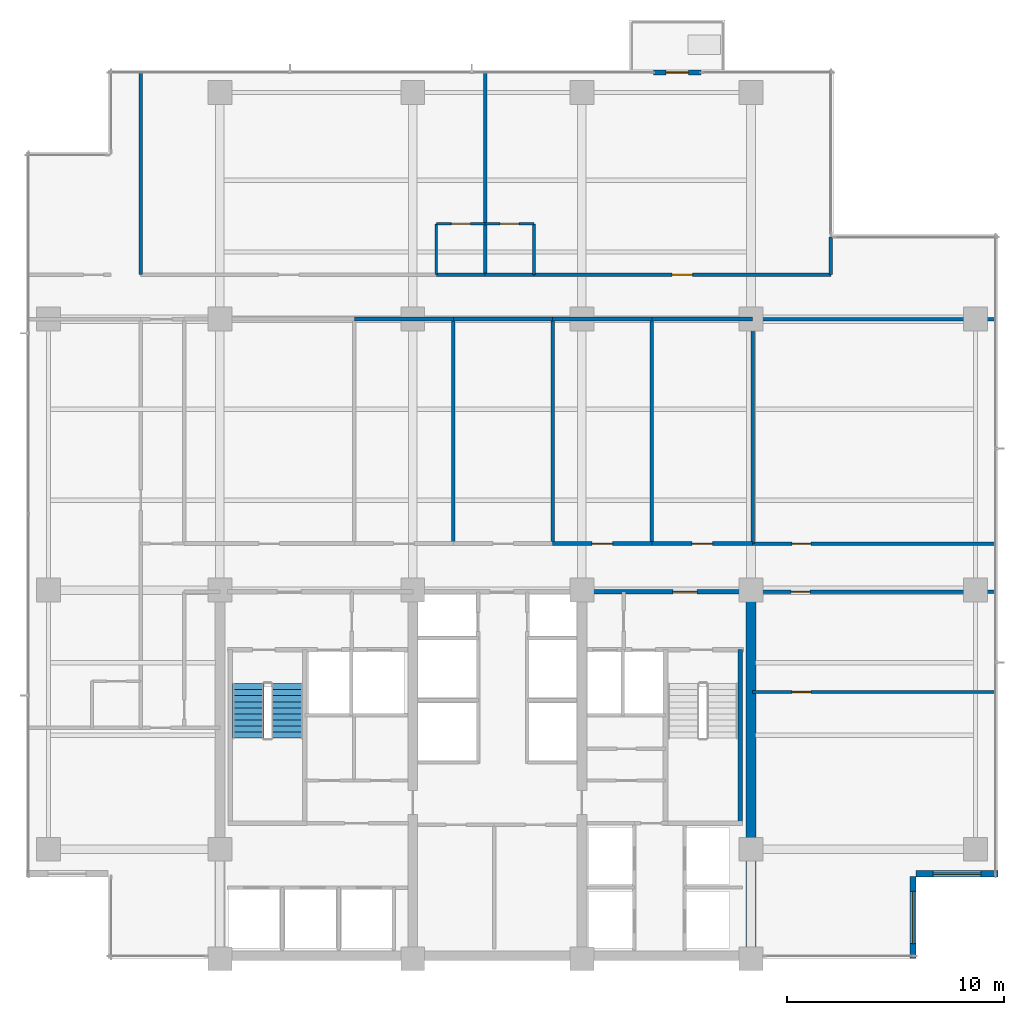
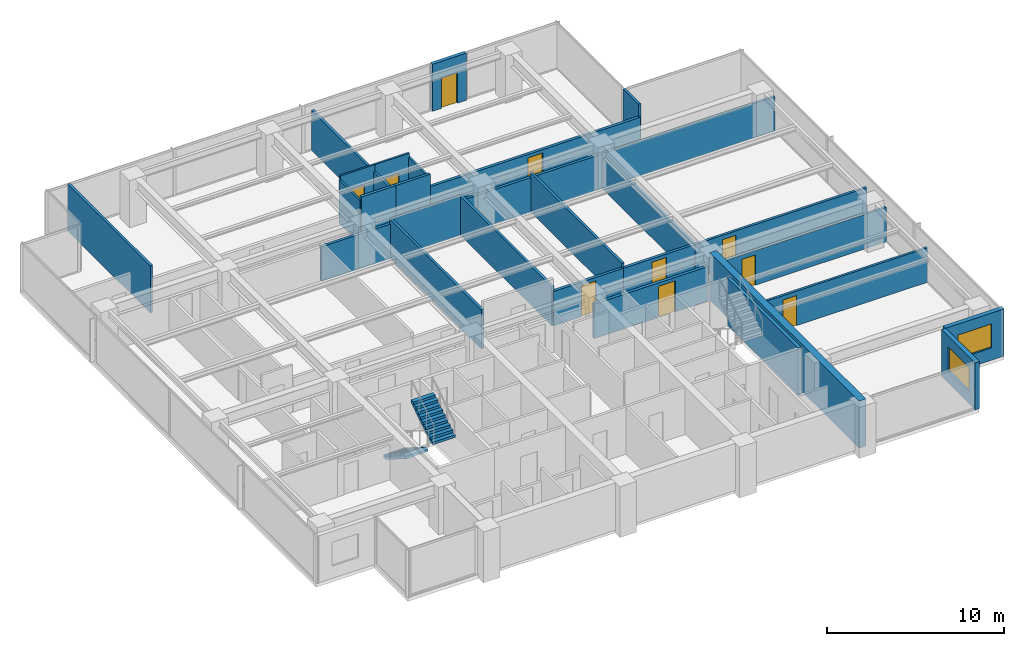
# One storey, part 9 of 15: 30 walls, 10 doors, 2 stair flights, 2 windows, 12 openings, 1 element without a shape of its own.
"""IFC4 building model written with IfcOpenShell, lengths in metres."""

import ifcopenshell
import ifcopenshell.guid

model = None  # the IFC model being written
_history = None  # IfcOwnerHistory: only IFC2X3 demands one
_inside = {}  # id of a spatial element -> (the spatial element, [elements in it])
_under = {}  # id of a project, library or spatial element -> (it, [spatial elements below it])
_declared = {}  # id of a project -> (the project, [libraries it declares])
_typed = {}  # id of a type object -> (the type object, [elements of that type])
_made_of = {}  # id of a material, layer set ... -> (it, [elements and type objects made of it])


def new_model(schema):
    """Start an empty IFC model of exactly this schema.

    Asked for "IFC4X3", IfcOpenShell would pick the latest addendum, in which some entities
    have other attributes; the version numbers below select the first issue.
    IFC2X3 requires an IfcOwnerHistory on every rooted entity: one is made here for all.
    """
    global model, _history
    if schema == "IFC4X3":
        model = ifcopenshell.file(schema_version=(4, 3, 0, 0))
    else:
        model = ifcopenshell.file(schema=schema)
    _inside.clear()
    _under.clear()
    _declared.clear()
    _typed.clear()
    _made_of.clear()
    _history = None
    if model.schema == "IFC2X3":
        org = make("IfcOrganization", Name="unknown")
        user = make(
            "IfcPersonAndOrganization",
            ThePerson=make("IfcPerson", FamilyName="unknown"),
            TheOrganization=org,
        )
        app = make(
            "IfcApplication",
            ApplicationDeveloper=org,
            Version="unknown",
            ApplicationFullName="unknown",
            ApplicationIdentifier="unknown",
        )
        _history = make(
            "IfcOwnerHistory",
            OwningUser=user,
            OwningApplication=app,
            ChangeAction="ADDED",
            CreationDate=0,
        )
    return model


def make(cls, **values):
    """One entity of the class cls with the attributes given. An attribute that is None is left unset."""
    return model.create_entity(
        cls, **{name: value for name, value in values.items() if value is not None}
    )


def rooted(cls, **values):
    """An entity with a GlobalId (a new one), such as an element, a storey or a relation."""
    return make(cls, GlobalId=ifcopenshell.guid.new(), OwnerHistory=_history, **values)


def si_unit(unit_type, name, prefix=None):
    """IfcSIUnit, for example si_unit("LENGTHUNIT", "METRE", prefix="MILLI")."""
    return make("IfcSIUnit", UnitType=unit_type, Prefix=prefix, Name=name)


def assignment(units):
    """IfcUnitAssignment: the units of a project."""
    return None if units is None else make("IfcUnitAssignment", Units=units)


def point(xyz):
    """IfcCartesianPoint."""
    return None if xyz is None else make("IfcCartesianPoint", Coordinates=xyz)


def direction(xyz):
    """IfcDirection."""
    return None if xyz is None else make("IfcDirection", DirectionRatios=xyz)


def frame(location, z_axis=None, x_axis=None):
    """IfcAxis2Placement3D, a coordinate frame: its origin and axes. An axis left out is left unset."""
    return make(
        "IfcAxis2Placement3D",
        Location=point(location),
        Axis=direction(z_axis),
        RefDirection=direction(x_axis),
    )


def frame_2d(location, x_axis=None):
    """IfcAxis2Placement2D, a coordinate frame in the plane: its origin and x axis."""
    return make(
        "IfcAxis2Placement2D", Location=point(location), RefDirection=direction(x_axis)
    )


def origin():
    """The frame at (0, 0, 0) with its axes left unset."""
    return frame((0.0, 0.0, 0.0))


def place(relative_to, where):
    """IfcLocalPlacement: puts the frame where relative to a parent placement (None: the world)."""
    return make(
        "IfcLocalPlacement", PlacementRelTo=relative_to, RelativePlacement=where
    )


def context(
    kind, dimensions, precision=None, world=None, true_north=None, identifier=None
):
    """IfcGeometricRepresentationContext, for example the 3D "Model" context."""
    return make(
        "IfcGeometricRepresentationContext",
        ContextIdentifier=identifier,
        ContextType=kind,
        CoordinateSpaceDimension=dimensions,
        Precision=precision,
        WorldCoordinateSystem=world,
        TrueNorth=true_north,
    )


def subcontext(parent, identifier, kind, view, scale=None):
    """IfcGeometricRepresentationSubContext, for example "Body" below "Model"."""
    return make(
        "IfcGeometricRepresentationSubContext",
        ContextIdentifier=identifier,
        ContextType=kind,
        ParentContext=parent,
        TargetScale=scale,
        TargetView=view,
    )


def project(units=None, contexts=None):
    """IfcProject with its units and contexts."""
    return rooted(
        "IfcProject",
        Name="project",
        RepresentationContexts=contexts,
        UnitsInContext=assignment(units),
    )


def spatial(cls, under=None, at=None, **own):
    """A site, building, storey or space (cls), placed at a placement, below another one or the project."""
    s = rooted(cls, ObjectPlacement=at, **own)
    if under is not None:
        _under.setdefault(under.id(), (under, []))[1].append(s)
    return s


def polyline(points):
    """IfcPolyline through the points."""
    return make("IfcPolyline", Points=[point(p) for p in points])


def profile(cls, at=None, kind="AREA", **sizes):
    """A parametric profile (cls). Its sizes go by their IFC names, for example OverallWidth=200.0."""
    return make(cls, ProfileType=kind, Position=at, **sizes)


def rectangle(**sizes):
    """IfcRectangleProfileDef."""
    return profile("IfcRectangleProfileDef", **sizes)


def outline(outer, holes=None, kind="AREA"):
    """IfcArbitraryClosedProfileDef: a profile drawn as a closed curve; with holes, ...WithVoids."""
    if holes is None:
        return make("IfcArbitraryClosedProfileDef", ProfileType=kind, OuterCurve=outer)
    return make(
        "IfcArbitraryProfileDefWithVoids",
        ProfileType=kind,
        OuterCurve=outer,
        InnerCurves=holes,
    )


def extrude(swept, where, along, depth):
    """IfcExtrudedAreaSolid: the profile swept, set in the frame where, extruded along a direction by depth."""
    return make(
        "IfcExtrudedAreaSolid",
        SweptArea=swept,
        Position=where,
        ExtrudedDirection=direction(along),
        Depth=depth,
    )


def shape(context_of_items, identifier, shape_type, items):
    """IfcShapeRepresentation: the items that make up one representation, for example the "Body"."""
    return make(
        "IfcShapeRepresentation",
        ContextOfItems=context_of_items,
        RepresentationIdentifier=identifier,
        RepresentationType=shape_type,
        Items=items,
    )


def material(Name=None, Category=None):
    """IfcMaterial."""
    return make("IfcMaterial", Name=Name, Category=Category)


def layer(
    of_material, thickness, ventilated=None, Name=None, Category=None, Priority=None
):
    """IfcMaterialLayer: one layer of a wall or slab, of a material (None: an air gap)."""
    return make(
        "IfcMaterialLayer",
        Material=of_material,
        LayerThickness=thickness,
        IsVentilated=ventilated,
        Name=Name,
        Category=Category,
        Priority=Priority,
    )


def layer_set(layers, Name=None):
    """IfcMaterialLayerSet."""
    return make("IfcMaterialLayerSet", MaterialLayers=layers, LayerSetName=Name)


def made_of(thing, what):
    """Note that an element or type object is made of a material, layer set ...; save() writes the relation."""
    if what is not None:
        _made_of.setdefault(what.id(), (what, []))[1].append(thing)
    return thing


def type_object(cls, material=None, **own):
    """A type object (cls), such as IfcWallType, which elements share."""
    return made_of(rooted(cls, **own), material)


def element(
    cls,
    number,
    at=None,
    inside=None,
    cuts=None,
    type_object=None,
    material=None,
    context=None,
    identifier="Body",
    shape_type=None,
    held_by="IfcProductDefinitionShape",
    body=None,
    shapes=None,
    **own,
):
    """One element of the class cls, such as IfcWall. Its Tag is "e" and its number.

    at: its placement. inside: the storey or other place that contains it. cuts: it is an
    opening in that element (IfcRelVoidsElement). A single representation is given by context,
    identifier, shape_type and body (its items); several are given by shapes. held_by: the class
    of the entity that holds the representations. save() writes the other relations.
    """
    e = rooted(cls, Tag="e%d" % number, ObjectPlacement=at, **own)
    if body is not None:
        shapes = [shape(context, identifier, shape_type, body)]
    if shapes is not None:
        e.Representation = make(held_by, Representations=shapes)
    if inside is not None:
        _inside.setdefault(inside.id(), (inside, []))[1].append(e)
    if cuts is not None:
        rooted(
            "IfcRelVoidsElement", RelatingBuildingElement=cuts, RelatedOpeningElement=e
        )
    if type_object is not None:
        _typed.setdefault(type_object.id(), (type_object, []))[1].append(e)
    return made_of(e, material)


def fill(opening, filler):
    """IfcRelFillsElement: the door or window that sits in an opening."""
    return rooted(
        "IfcRelFillsElement",
        RelatingOpeningElement=opening,
        RelatedBuildingElement=filler,
    )


def aggregate(whole, parts):
    """IfcRelAggregates: a whole, such as a stair, and the parts it consists of."""
    return rooted("IfcRelAggregates", RelatingObject=whole, RelatedObjects=parts)


def save(model, path):
    """Write the relations noted so far, then the file.

    IfcRelAggregates (storeys below a building ...), IfcRelContainedInSpatialStructure (elements
    in a storey), IfcRelDefinesByType, IfcRelAssociatesMaterial and IfcRelDeclares: one each for
    every whole, place, type object, material and project.
    """
    for whole, parts in _under.values():
        aggregate(whole, parts)
    for where, things in _inside.values():
        rooted(
            "IfcRelContainedInSpatialStructure",
            RelatedElements=things,
            RelatingStructure=where,
        )
    for kind, things in _typed.values():
        rooted("IfcRelDefinesByType", RelatedObjects=things, RelatingType=kind)
    for what, things in _made_of.values():
        rooted("IfcRelAssociatesMaterial", RelatedObjects=things, RelatingMaterial=what)
    for by, libraries in _declared.values():
        rooted("IfcRelDeclares", RelatingContext=by, RelatedDefinitions=libraries)
    model.write(path)


model = new_model("IFC4")

# Units and contexts
model_context = context("Model", 3, precision=1e-05, world=origin(), true_north=direction((0.0, 1.0)))
body_context = subcontext(model_context, "Body", "Model", "MODEL_VIEW")
ifc_project = project(units=[si_unit("LENGTHUNIT", "METRE"), si_unit("AREAUNIT", "SQUARE_METRE"), si_unit("VOLUMEUNIT", "CUBIC_METRE"), si_unit("PLANEANGLEUNIT", "RADIAN"), si_unit("MASSUNIT", "GRAM", prefix="KILO")], contexts=[model_context])

# Site, building, storey
site_placement = place(None, origin())
site = spatial("IfcSite", under=ifc_project, at=site_placement, CompositionType="ELEMENT")
building_placement = place(site_placement, origin())
building = spatial("IfcBuilding", under=site, at=building_placement, Name="Qalmaran Belvedere Hotel", CompositionType="ELEMENT")
storey_placement = place(building_placement, frame((0.0, 0.0, 149.10009765625)))
storey = spatial("IfcBuildingStorey", under=building, at=storey_placement, Name="L37", CompositionType="ELEMENT", Elevation=149.10009765625)

# Wall, opening, door
ifc_material_1 = material(Name="Anodised Bronze Cladding")
ifc_layer_1 = layer(ifc_material_1, 0.22509765625, Name="Anodised Bronze Cladding")
ifc_layer_set_1 = layer_set([ifc_layer_1], Name="Anodised Bronze Cladding")
wall_type_1 = type_object("IfcWallType", Name="WL-BAL-PORT-225", PredefinedType="SOLIDWALL", material=ifc_layer_set_1)
wall_1_placement = place(storey_placement, frame((40.300048828125, 44.3798828125, 0.0), z_axis=(0.0, 0.0, 1.0), x_axis=(1.0, 0.0, 0.0)))
wall_1 = element("IfcWall", 1, at=wall_1_placement, inside=storey, type_object=wall_type_1, Name="L37 Tree Balcony Door Portal", PredefinedType="SOLIDWALL", context=body_context, shape_type="SweptSolid", body=[
    extrude(rectangle(XDim=2.199951171875, YDim=0.22509765625, at=frame_2d((1.10009765625, 0.0))), origin(), (0.0, 0.0, 1.0), 3.25),
])
opening_1_placement = place(wall_1_placement, frame((0.590087890625, 0.0, 0.0)))
opening_1 = element("IfcOpeningElement", 2, at=opening_1_placement, cuts=wall_1, Name="Opening BL-102", PredefinedType="OPENING", context=body_context, shape_type="SweptSolid", body=[
    extrude(rectangle(XDim=1.02001953125, YDim=2.10009765625, at=frame_2d((0.510009765625, 1.050048828125))), frame((0.0, 0.12255859375, 0.0), z_axis=(0.0, -1.0, 0.0), x_axis=(1.0, 0.0, 0.0)), (0.0, 0.0, 1.0), 0.2451171875),
])
ifc_material_2 = material(Name="Anodised Bronze Aluminium", Category="aluminium")
door_type_1 = type_object("IfcDoorType", Name="DR-BAL-1020X2100", OperationType="NOTDEFINED", PredefinedType="DOOR", material=ifc_material_2)
door_1_placement = place(opening_1_placement, origin())
door_1 = element("IfcDoor", 3, at=door_1_placement, inside=storey, type_object=door_type_1, Name="L37 Planted Tree Balcony Door", OperationType="SINGLE_SWING_RIGHT", OverallHeight=2.10009765625, OverallWidth=1.02001953125, PredefinedType="DOOR", context=body_context, shape_type="SweptSolid", body=[
    extrude(rectangle(XDim=1.02001953125, YDim=2.10009765625, at=frame_2d((0.510009765625, 1.050048828125))), frame((0.0, 0.02490234375, 0.0), z_axis=(0.0, -1.0, 0.0), x_axis=(1.0, 0.0, 0.0)), (0.0, 0.0, 1.0), 0.050048828125),
])
fill(opening_1, door_1)

# Wall
ifc_material_3 = material(Name="Concrete C50/60", Category="concrete")
ifc_layer_2 = layer(ifc_material_3, 0.449951171875, Name="Concrete C50/60")
ifc_layer_set_2 = layer_set([ifc_layer_2], Name="Concrete C50/60")
wall_type_2 = type_object("IfcWallType", Name="WL-CORE-450-C50", PredefinedType="SHEAR", material=ifc_layer_set_2)
wall_2_placement = place(storey_placement, frame((44.800048828125, 3.5, 0.0), z_axis=(0.0, 0.0, 1.0), x_axis=(0.0, 1.0, 0.0)))
element("IfcWall", 4, at=wall_2_placement, inside=storey, type_object=wall_type_2, Name="L37 East Core Shear Wall", PredefinedType="SHEAR", context=body_context, shape_type="SweptSolid", body=[
    extrude(rectangle(XDim=16.89990234375, YDim=0.449951171875, at=frame_2d((8.449951171875, 0.0))), origin(), (0.0, 0.0, 1.0), 3.25),
])

# Wall, opening, window
ifc_layer_3 = layer(ifc_material_1, 0.280029296875, Name="Anodised Bronze Cladding")
ifc_layer_set_3 = layer_set([ifc_layer_3], Name="Anodised Bronze Cladding")
wall_type_3 = type_object("IfcWallType", Name="WL-EXT-BRNZ-280", PredefinedType="SOLIDWALL", material=ifc_layer_set_3)
wall_3_placement = place(storey_placement, frame((52.280029296875, 3.5, 0.0), z_axis=(0.0, 0.0, 1.0), x_axis=(0.0, 1.0, 0.0)))
wall_3 = element("IfcWall", 5, at=wall_3_placement, inside=storey, type_object=wall_type_3, Name="L37 Corner Notch Wall 1", PredefinedType="SOLIDWALL", context=body_context, shape_type="SweptSolid", body=[
    extrude(rectangle(XDim=3.800048828125, YDim=0.280029296875, at=frame_2d((1.89990234375, 0.0))), origin(), (0.0, 0.0, 1.0), 3.25),
])
opening_2_placement = place(wall_3_placement, frame((0.699951171875, 0.0, 0.85009765625)))
opening_2 = element("IfcOpeningElement", 6, at=opening_2_placement, cuts=wall_3, Name="Opening W-N24", PredefinedType="OPENING", context=body_context, shape_type="SweptSolid", body=[
    extrude(rectangle(XDim=2.39990234375, YDim=1.64990234375, at=frame_2d((1.199951171875, 0.824951171875))), frame((0.0, 0.14990234375, 0.0), z_axis=(0.0, -1.0, 0.0), x_axis=(1.0, 0.0, 0.0)), (0.0, 0.0, 1.0), 0.300048828125),
])
ifc_material_4 = material(Name="Solar-Control Double Glazing", Category="glass")
window_type_1 = type_object("IfcWindowType", Name="WN-NTC-2400X1650", PartitioningType="SINGLE_PANEL", PredefinedType="WINDOW", material=ifc_material_4)
window_1_placement = place(opening_2_placement, origin())
window_1 = element("IfcWindow", 7, at=window_1_placement, inside=storey, type_object=window_type_1, Name="L37 Corner Notch Window 1", OverallHeight=1.64990234375, OverallWidth=2.39990234375, PartitioningType="SINGLE_PANEL", PredefinedType="WINDOW", context=body_context, shape_type="SweptSolid", body=[
    extrude(rectangle(XDim=2.39990234375, YDim=1.64990234375, at=frame_2d((1.199951171875, 0.824951171875))), frame((0.0, 0.030029296875, 0.0), z_axis=(0.0, -1.0, 0.0), x_axis=(1.0, 0.0, 0.0)), (0.0, 0.0, 1.0), 0.06005859375),
])
fill(opening_2, window_1)

wall_4_placement = place(storey_placement, frame((52.39990234375, 7.419921875, 0.0), z_axis=(0.0, 0.0, 1.0), x_axis=(1.0, 0.0, 0.0)))
wall_4 = element("IfcWall", 8, at=wall_4_placement, inside=storey, type_object=wall_type_3, Name="L37 Corner Notch Wall 2", PredefinedType="SOLIDWALL", context=body_context, shape_type="SweptSolid", body=[
    extrude(rectangle(XDim=3.800048828125, YDim=0.280029296875, at=frame_2d((1.89990234375, 0.0))), origin(), (0.0, 0.0, 1.0), 3.25),
])
opening_3_placement = place(wall_4_placement, frame((0.800048828125, 0.0, 0.85009765625)))
opening_3 = element("IfcOpeningElement", 9, at=opening_3_placement, cuts=wall_4, Name="Opening W-N22", PredefinedType="OPENING", context=body_context, shape_type="SweptSolid", body=[
    extrude(rectangle(XDim=2.199951171875, YDim=1.64990234375, at=frame_2d((1.10009765625, 0.824951171875))), frame((0.0, 0.14990234375, 0.0), z_axis=(0.0, -1.0, 0.0), x_axis=(1.0, 0.0, 0.0)), (0.0, 0.0, 1.0), 0.300048828125),
])
window_type_2 = type_object("IfcWindowType", Name="WN-NTC-2200X1650", PartitioningType="SINGLE_PANEL", PredefinedType="WINDOW", material=ifc_material_4)
window_2_placement = place(opening_3_placement, origin())
window_2 = element("IfcWindow", 10, at=window_2_placement, inside=storey, type_object=window_type_2, Name="L37 Corner Notch Window 2", OverallHeight=1.64990234375, OverallWidth=2.199951171875, PartitioningType="SINGLE_PANEL", PredefinedType="WINDOW", context=body_context, shape_type="SweptSolid", body=[
    extrude(rectangle(XDim=2.199951171875, YDim=1.64990234375, at=frame_2d((1.10009765625, 0.824951171875))), frame((0.0, 0.030029296875, 0.0), z_axis=(0.0, -1.0, 0.0), x_axis=(1.0, 0.0, 0.0)), (0.0, 0.0, 1.0), 0.06005859375),
])
fill(opening_3, window_2)

# Wall, opening, door
ifc_material_5 = material(Name="Moisture-Resistant Gypsum")
ifc_layer_4 = layer(ifc_material_5, 0.1201171875, Name="Moisture-Resistant Gypsum")
ifc_layer_set_4 = layer_set([ifc_layer_4], Name="Moisture-Resistant Gypsum")
wall_type_4 = type_object("IfcWallType", Name="WL-INT-120-BATH", PredefinedType="PARTITIONING", material=ifc_layer_set_4)
wall_5_placement = place(storey_placement, frame((30.289306640625, 37.39990234375, 0.0), z_axis=(0.0, 0.0, 1.0), x_axis=(1.0, 0.0, 0.0)))
wall_5 = element("IfcWall", 11, at=wall_5_placement, inside=storey, type_object=wall_type_4, Name="L37 Partition WL-L37-NBN00", PredefinedType="PARTITIONING", context=body_context, shape_type="SweptSolid", body=[
    extrude(rectangle(XDim=2.25, YDim=0.1201171875, at=frame_2d((1.125, 0.0))), origin(), (0.0, 0.0, 1.0), 3.25),
])
opening_4_placement = place(wall_5_placement, frame((1.56494140625, 0.0, 0.0), z_axis=(0.0, 0.0, 1.0), x_axis=(-1.0, 0.0, 0.0)))
opening_4 = element("IfcOpeningElement", 12, at=opening_4_placement, cuts=wall_5, Name="Opening D-BATH", PredefinedType="OPENING", context=body_context, shape_type="SweptSolid", body=[
    extrude(rectangle(XDim=0.8798828125, YDim=2.080078125, at=frame_2d((0.43994140625, 1.0400390625))), frame((0.0, 0.070068359375, 0.0), z_axis=(0.0, -1.0, 0.0), x_axis=(1.0, 0.0, 0.0)), (0.0, 0.0, 1.0), 0.14013671875),
])
ifc_material_6 = material(Name="Engineered Oak Veneer")
door_type_2 = type_object("IfcDoorType", Name="DR-INT-BATH-880X2080", OperationType="NOTDEFINED", PredefinedType="DOOR", material=ifc_material_6)
door_2_placement = place(opening_4_placement, origin())
door_2 = element("IfcDoor", 13, at=door_2_placement, inside=storey, type_object=door_type_2, Name="L37 Ensuite Bathroom Door N01", OperationType="SINGLE_SWING_RIGHT", OverallHeight=2.080078125, OverallWidth=0.8798828125, PredefinedType="DOOR", context=body_context, shape_type="SweptSolid", body=[
    extrude(rectangle(XDim=0.8798828125, YDim=2.080078125, at=frame_2d((0.43994140625, 1.0400390625))), frame((0.0, 0.02490234375, 0.0), z_axis=(0.0, -1.0, 0.0), x_axis=(1.0, 0.0, 0.0)), (0.0, 0.0, 1.0), 0.050048828125),
])
fill(opening_4, door_2)

# Wall
wall_6_placement = place(storey_placement, frame((30.289306640625, 35.050048828125, 0.0), z_axis=(0.0, 0.0, 1.0), x_axis=(0.0, 1.0, 0.0)))
element("IfcWall", 14, at=wall_6_placement, inside=storey, type_object=wall_type_4, Name="L37 Partition WL-L37-NBS00", PredefinedType="PARTITIONING", context=body_context, shape_type="SweptSolid", body=[
    extrude(rectangle(XDim=2.349853515625, YDim=0.1201171875, at=frame_2d((1.1748046875, 0.0))), origin(), (0.0, 0.0, 1.0), 2.98779296875),
])

# Wall, opening, door
wall_7_placement = place(storey_placement, frame((32.539306640625, 37.39990234375, 0.0), z_axis=(0.0, 0.0, 1.0), x_axis=(1.0, 0.0, 0.0)))
wall_7 = element("IfcWall", 15, at=wall_7_placement, inside=storey, type_object=wall_type_4, Name="L37 Partition WL-L37-NBN01", PredefinedType="PARTITIONING", context=body_context, shape_type="SweptSolid", body=[
    extrude(rectangle(XDim=2.25, YDim=0.1201171875, at=frame_2d((1.125, 0.0))), origin(), (0.0, 0.0, 1.0), 3.25),
])
opening_5_placement = place(wall_7_placement, frame((1.56494140625, 0.0, 0.0), z_axis=(0.0, 0.0, 1.0), x_axis=(-1.0, 0.0, 0.0)))
opening_5 = element("IfcOpeningElement", 16, at=opening_5_placement, cuts=wall_7, Name="Opening D-BATH", PredefinedType="OPENING", context=body_context, shape_type="SweptSolid", body=[
    extrude(rectangle(XDim=0.8798828125, YDim=2.080078125, at=frame_2d((0.43994140625, 1.0400390625))), frame((0.0, 0.070068359375, 0.0), z_axis=(0.0, -1.0, 0.0), x_axis=(1.0, 0.0, 0.0)), (0.0, 0.0, 1.0), 0.14013671875),
])
door_3_placement = place(opening_5_placement, origin())
door_3 = element("IfcDoor", 17, at=door_3_placement, inside=storey, type_object=door_type_2, Name="L37 Ensuite Bathroom Door N02", OperationType="SINGLE_SWING_RIGHT", OverallHeight=2.080078125, OverallWidth=0.8798828125, PredefinedType="DOOR", context=body_context, shape_type="SweptSolid", body=[
    extrude(rectangle(XDim=0.8798828125, YDim=2.080078125, at=frame_2d((0.43994140625, 1.0400390625))), frame((0.0, 0.02490234375, 0.0), z_axis=(0.0, -1.0, 0.0), x_axis=(1.0, 0.0, 0.0)), (0.0, 0.0, 1.0), 0.050048828125),
])
fill(opening_5, door_3)

# Wall
wall_8_placement = place(storey_placement, frame((34.789306640625, 35.050048828125, 0.0), z_axis=(0.0, 0.0, 1.0), x_axis=(0.0, 1.0, 0.0)))
element("IfcWall", 18, at=wall_8_placement, inside=storey, type_object=wall_type_4, Name="L37 Partition WL-L37-NBS01", PredefinedType="PARTITIONING", context=body_context, shape_type="SweptSolid", body=[
    extrude(rectangle(XDim=2.349853515625, YDim=0.1201171875, at=frame_2d((1.1748046875, 0.0))), origin(), (0.0, 0.0, 1.0), 2.98779296875),
])

# Wall, opening, door
ifc_material_7 = material(Name="Gypsum Stud Partition")
ifc_layer_5 = layer(ifc_material_7, 0.14990234375, Name="Gypsum Stud Partition")
ifc_layer_set_5 = layer_set([ifc_layer_5], Name="Gypsum Stud Partition")
wall_type_5 = type_object("IfcWallType", Name="WL-INT-150-EI60", PredefinedType="PARTITIONING", material=ifc_layer_set_5)
wall_9_placement = place(storey_placement, frame((44.8798828125, 15.800048828125, 0.0), z_axis=(0.0, 0.0, 1.0), x_axis=(1.0, 0.0, 0.0)))
wall_9 = element("IfcWall", 19, at=wall_9_placement, inside=storey, type_object=wall_type_5, Name="L37 Partition WL-L37-ECEH0", PredefinedType="PARTITIONING", context=body_context, shape_type="SweptSolid", body=[
    extrude(rectangle(XDim=11.2001953125, YDim=0.14990234375, at=frame_2d((5.60009765625, 0.0))), origin(), (0.0, 0.0, 1.0), 2.3798828125),
])
opening_6_placement = place(wall_9_placement, frame((2.679931640625, 0.0, 0.0), z_axis=(0.0, 0.0, 1.0), x_axis=(-1.0, 0.0, 0.0)))
opening_6 = element("IfcOpeningElement", 20, at=opening_6_placement, cuts=wall_9, Name="Opening FD60B", PredefinedType="OPENING", context=body_context, shape_type="SweptSolid", body=[
    extrude(rectangle(XDim=0.8798828125, YDim=2.080078125, at=frame_2d((0.43994140625, 1.0400390625))), frame((0.0, 0.0849609375, 0.0), z_axis=(0.0, -1.0, 0.0), x_axis=(1.0, 0.0, 0.0)), (0.0, 0.0, 1.0), 0.169921875),
])
ifc_material_8 = material(Name="Steel S355JR", Category="steel")
door_type_3 = type_object("IfcDoorType", Name="DR-FD60B-880X2080", OperationType="NOTDEFINED", PredefinedType="DOOR", material=ifc_material_8)
door_4_placement = place(opening_6_placement, origin())
door_4 = element("IfcDoor", 21, at=door_4_placement, inside=storey, type_object=door_type_3, Name="L37 East Study Inner Door", OperationType="SINGLE_SWING_RIGHT", OverallHeight=2.080078125, OverallWidth=0.8798828125, PredefinedType="DOOR", context=body_context, shape_type="SweptSolid", body=[
    extrude(rectangle(XDim=0.8798828125, YDim=2.080078125, at=frame_2d((0.43994140625, 1.0400390625))), frame((0.0, 0.02490234375, 0.0), z_axis=(0.0, -1.0, 0.0), x_axis=(1.0, 0.0, 0.0)), (0.0, 0.0, 1.0), 0.050048828125),
])
fill(opening_6, door_4)

ifc_layer_6 = layer(ifc_material_7, 0.159912109375, Name="Gypsum Stud Partition")
ifc_layer_set_6 = layer_set([ifc_layer_6], Name="Gypsum Stud Partition")
wall_type_6 = type_object("IfcWallType", Name="WL-INT-160-EI60", PredefinedType="PARTITIONING", material=ifc_layer_set_6)
wall_10_placement = place(storey_placement, frame((44.800048828125, 20.419921875, 0.0), z_axis=(0.0, 0.0, 1.0), x_axis=(1.0, 0.0, 0.0)))
wall_10 = element("IfcWall", 22, at=wall_10_placement, inside=storey, type_object=wall_type_6, Name="L37 Partition WL-L37-ECE1S", PredefinedType="PARTITIONING", context=body_context, shape_type="SweptSolid", body=[
    extrude(rectangle(XDim=11.280029296875, YDim=0.159912109375, at=frame_2d((5.64013671875, 0.0))), origin(), (0.0, 0.0, 1.0), 2.3798828125),
])
opening_7_placement = place(wall_10_placement, frame((2.72998046875, 0.0, 0.0), z_axis=(0.0, 0.0, 1.0), x_axis=(-1.0, 0.0, 0.0)))
opening_7 = element("IfcOpeningElement", 23, at=opening_7_placement, cuts=wall_10, Name="Opening FD60B", PredefinedType="OPENING", context=body_context, shape_type="SweptSolid", body=[
    extrude(rectangle(XDim=0.8798828125, YDim=2.080078125, at=frame_2d((0.43994140625, 1.0400390625))), frame((0.0, 0.08984375, 0.0), z_axis=(0.0, -1.0, 0.0), x_axis=(1.0, 0.0, 0.0)), (0.0, 0.0, 1.0), 0.179931640625),
])
door_5_placement = place(opening_7_placement, origin())
door_5 = element("IfcDoor", 24, at=door_5_placement, inside=storey, type_object=door_type_3, Name="L37 East Library Door", OperationType="SINGLE_SWING_LEFT", OverallHeight=2.080078125, OverallWidth=0.8798828125, PredefinedType="DOOR", context=body_context, shape_type="SweptSolid", body=[
    extrude(rectangle(XDim=0.8798828125, YDim=2.080078125, at=frame_2d((0.43994140625, 1.0400390625))), frame((0.0, 0.02490234375, 0.0), z_axis=(0.0, -1.0, 0.0), x_axis=(1.0, 0.0, 0.0)), (0.0, 0.0, 1.0), 0.050048828125),
])
fill(opening_7, door_5)

wall_11_placement = place(storey_placement, frame((44.8798828125, 22.64990234375, 0.0), z_axis=(0.0, 0.0, 1.0), x_axis=(1.0, 0.0, 0.0)))
wall_11 = element("IfcWall", 25, at=wall_11_placement, inside=storey, type_object=wall_type_6, Name="L37 Partition WL-L37-ECE2N", PredefinedType="PARTITIONING", context=body_context, shape_type="SweptSolid", body=[
    extrude(rectangle(XDim=11.2001953125, YDim=0.159912109375, at=frame_2d((5.60009765625, 0.0))), origin(), (0.0, 0.0, 1.0), 2.3798828125),
])
opening_8_placement = place(wall_11_placement, frame((1.800048828125, 0.0, 0.0)))
opening_8 = element("IfcOpeningElement", 26, at=opening_8_placement, cuts=wall_11, Name="Opening FD60B", PredefinedType="OPENING", context=body_context, shape_type="SweptSolid", body=[
    extrude(rectangle(XDim=0.8798828125, YDim=2.080078125, at=frame_2d((0.43994140625, 1.0400390625))), frame((0.0, 0.08984375, 0.0), z_axis=(0.0, -1.0, 0.0), x_axis=(1.0, 0.0, 0.0)), (0.0, 0.0, 1.0), 0.179931640625),
])
door_6_placement = place(opening_8_placement, origin())
door_6 = element("IfcDoor", 27, at=door_6_placement, inside=storey, type_object=door_type_3, Name="L37 East Fitness Door", OperationType="SINGLE_SWING_RIGHT", OverallHeight=2.080078125, OverallWidth=0.8798828125, PredefinedType="DOOR", context=body_context, shape_type="SweptSolid", body=[
    extrude(rectangle(XDim=0.8798828125, YDim=2.080078125, at=frame_2d((0.43994140625, 1.0400390625))), frame((0.0, 0.02490234375, 0.0), z_axis=(0.0, -1.0, 0.0), x_axis=(1.0, 0.0, 0.0)), (0.0, 0.0, 1.0), 0.050048828125),
])
fill(opening_8, door_6)

# Walls
wall_12_placement = place(storey_placement, frame((44.8798828125, 33.0, 0.0), z_axis=(0.0, 0.0, 1.0), x_axis=(1.0, 0.0, 0.0)))
element("IfcWall", 28, at=wall_12_placement, inside=storey, type_object=wall_type_6, Name="L37 Partition WL-L37-ECEN", PredefinedType="PARTITIONING", context=body_context, shape_type="SweptSolid", body=[
    extrude(rectangle(XDim=11.2001953125, YDim=0.159912109375, at=frame_2d((5.60009765625, 0.0))), origin(), (0.0, 0.0, 1.0), 2.3798828125),
])
for number, where, z_axis, x_axis, name in (
    (29, (31.074951171875, 22.64990234375, 0.0), (0.0, 0.0, 1.0), (0.0, 1.0, 0.0), "L37 Partition WL-L37-MIDVR2"),
    (30, (35.64990234375, 22.64990234375, 0.0), (0.0, 0.0, 1.0), (0.0, 1.0, 0.0), "L37 Partition WL-L37-MIDVR3"),
    (31, (40.22509765625, 22.64990234375, 0.0), (0.0, 0.0, 1.0), (0.0, 1.0, 0.0), "L37 Partition WL-L37-MIDVR4"),
):
    element("IfcWall", number, at=place(storey_placement, frame(where, z_axis=z_axis, x_axis=x_axis)), inside=storey, type_object=wall_type_6, Name=name, PredefinedType="PARTITIONING", context=body_context, shape_type="SweptSolid", body=[
        extrude(rectangle(XDim=10.35009765625, YDim=0.159912109375, at=frame_2d((5.175048828125, 0.0))), origin(), (0.0, 0.0, 1.0), 2.69189453125),
    ])
wall_13_placement = place(storey_placement, frame((44.8798828125, 22.64990234375, 0.0), z_axis=(0.0, 0.0, 1.0), x_axis=(0.0, 1.0, 0.0)))
element("IfcWall", 32, at=wall_13_placement, inside=storey, type_object=wall_type_6, Name="L37 Partition WL-L37-MIDVR5", PredefinedType="PARTITIONING", context=body_context, shape_type="SweptSolid", body=[
    extrude(rectangle(XDim=10.35009765625, YDim=0.159912109375, at=frame_2d((5.175048828125, 0.0))), origin(), (0.0, 0.0, 1.0), 2.3798828125),
])
wall_14_placement = place(storey_placement, frame((16.64990234375, 35.050048828125, 0.0), z_axis=(0.0, 0.0, 1.0), x_axis=(0.0, 1.0, 0.0)))
element("IfcWall", 33, at=wall_14_placement, inside=storey, type_object=wall_type_6, Name="L37 Partition WL-L37-NUL", PredefinedType="PARTITIONING", context=body_context, shape_type="SweptSolid", body=[
    extrude(rectangle(XDim=9.329833984375, YDim=0.159912109375, at=frame_2d((4.6650390625, 0.0))), origin(), (0.0, 0.0, 1.0), 3.25),
])
wall_15_placement = place(storey_placement, frame((32.539306640625, 35.050048828125, 0.0), z_axis=(0.0, 0.0, 1.0), x_axis=(0.0, 1.0, 0.0)))
element("IfcWall", 34, at=wall_15_placement, inside=storey, type_object=wall_type_6, Name="L37 Partition WL-L37-NUR00", PredefinedType="PARTITIONING", context=body_context, shape_type="SweptSolid", body=[
    extrude(rectangle(XDim=9.329833984375, YDim=0.159912109375, at=frame_2d((4.6650390625, 0.0))), origin(), (0.0, 0.0, 1.0), 2.77197265625),
])
wall_16_placement = place(storey_placement, frame((48.47998046875, 35.050048828125, 0.0), z_axis=(0.0, 0.0, 1.0), x_axis=(0.0, 1.0, 0.0)))
element("IfcWall", 35, at=wall_16_placement, inside=storey, type_object=wall_type_6, Name="L37 Partition WL-L37-NUR01", PredefinedType="PARTITIONING", context=body_context, shape_type="SweptSolid", body=[
    extrude(rectangle(XDim=1.72998046875, YDim=0.159912109375, at=frame_2d((0.864990234375, 0.0))), origin(), (0.0, 0.0, 1.0), 3.25),
])
ifc_layer_7 = layer(ifc_material_7, 0.179931640625, Name="Gypsum Stud Partition")
ifc_layer_set_7 = layer_set([ifc_layer_7], Name="Gypsum Stud Partition")
wall_type_7 = type_object("IfcWallType", Name="WL-INT-180-EI60", PredefinedType="PARTITIONING", material=ifc_layer_set_7)
wall_17_placement = place(storey_placement, frame((26.5, 33.0, 0.0), z_axis=(0.0, 0.0, 1.0), x_axis=(1.0, 0.0, 0.0)))
element("IfcWall", 36, at=wall_17_placement, inside=storey, type_object=wall_type_7, Name="L37 Partition WL-L37-MIDO2", PredefinedType="PARTITIONING", context=body_context, shape_type="SweptSolid", body=[
    extrude(rectangle(XDim=4.574951171875, YDim=0.179931640625, at=frame_2d((2.28759765625, 0.0))), origin(), (0.0, 0.0, 1.0), 2.3798828125),
])
wall_18_placement = place(storey_placement, frame((31.074951171875, 33.0, 0.0), z_axis=(0.0, 0.0, 1.0), x_axis=(1.0, 0.0, 0.0)))
element("IfcWall", 37, at=wall_18_placement, inside=storey, type_object=wall_type_7, Name="L37 Partition WL-L37-MIDO3", PredefinedType="PARTITIONING", context=body_context, shape_type="SweptSolid", body=[
    extrude(rectangle(XDim=4.574951171875, YDim=0.179931640625, at=frame_2d((2.28759765625, 0.0))), origin(), (0.0, 0.0, 1.0), 2.69189453125),
])

# Wall, opening, door
wall_19_placement = place(storey_placement, frame((35.64990234375, 22.64990234375, 0.0), z_axis=(0.0, 0.0, 1.0), x_axis=(1.0, 0.0, 0.0)))
wall_19 = element("IfcWall", 38, at=wall_19_placement, inside=storey, type_object=wall_type_7, Name="L37 Partition WL-L37-MIDD4", PredefinedType="PARTITIONING", context=body_context, shape_type="SweptSolid", body=[
    extrude(rectangle(XDim=4.5751953125, YDim=0.179931640625, at=frame_2d((2.28759765625, 0.0))), origin(), (0.0, 0.0, 1.0), 2.3798828125),
])
opening_9_placement = place(wall_19_placement, frame((1.8125, 0.0, 0.0)))
opening_9 = element("IfcOpeningElement", 39, at=opening_9_placement, cuts=wall_19, Name="Opening FD60", PredefinedType="OPENING", context=body_context, shape_type="SweptSolid", body=[
    extrude(rectangle(XDim=0.949951171875, YDim=2.14990234375, at=frame_2d((0.47509765625, 1.074951171875))), frame((0.0, 0.10009765625, 0.0), z_axis=(0.0, -1.0, 0.0), x_axis=(1.0, 0.0, 0.0)), (0.0, 0.0, 1.0), 0.199951171875),
])
door_type_4 = type_object("IfcDoorType", Name="DR-FD60-950X2150", OperationType="NOTDEFINED", PredefinedType="DOOR", material=ifc_material_6)
door_7_placement = place(opening_9_placement, origin())
door_7 = element("IfcDoor", 40, at=door_7_placement, inside=storey, type_object=door_type_4, Name="L37 Pilates Spa Door", OperationType="SINGLE_SWING_RIGHT", OverallHeight=2.14990234375, OverallWidth=0.949951171875, PredefinedType="DOOR", context=body_context, shape_type="SweptSolid", body=[
    extrude(rectangle(XDim=0.949951171875, YDim=2.14990234375, at=frame_2d((0.47509765625, 1.074951171875))), frame((0.0, 0.02490234375, 0.0), z_axis=(0.0, -1.0, 0.0), x_axis=(1.0, 0.0, 0.0)), (0.0, 0.0, 1.0), 0.050048828125),
])
fill(opening_9, door_7)

# Wall
wall_20_placement = place(storey_placement, frame((35.64990234375, 33.0, 0.0), z_axis=(0.0, 0.0, 1.0), x_axis=(1.0, 0.0, 0.0)))
element("IfcWall", 41, at=wall_20_placement, inside=storey, type_object=wall_type_7, Name="L37 Partition WL-L37-MIDO4", PredefinedType="PARTITIONING", context=body_context, shape_type="SweptSolid", body=[
    extrude(rectangle(XDim=4.5751953125, YDim=0.179931640625, at=frame_2d((2.28759765625, 0.0))), origin(), (0.0, 0.0, 1.0), 2.3798828125),
])

# Wall, opening, door
wall_21_placement = place(storey_placement, frame((40.22509765625, 22.64990234375, 0.0), z_axis=(0.0, 0.0, 1.0), x_axis=(1.0, 0.0, 0.0)))
wall_21 = element("IfcWall", 42, at=wall_21_placement, inside=storey, type_object=wall_type_7, Name="L37 Partition WL-L37-MIDD5", PredefinedType="PARTITIONING", context=body_context, shape_type="SweptSolid", body=[
    extrude(rectangle(XDim=4.65478515625, YDim=0.179931640625, at=frame_2d((2.327392578125, 0.0))), origin(), (0.0, 0.0, 1.0), 2.3798828125),
])
opening_10_placement = place(wall_21_placement, frame((1.8525390625, 0.0, 0.0)))
opening_10 = element("IfcOpeningElement", 43, at=opening_10_placement, cuts=wall_21, Name="Opening FD60", PredefinedType="OPENING", context=body_context, shape_type="SweptSolid", body=[
    extrude(rectangle(XDim=0.949951171875, YDim=2.14990234375, at=frame_2d((0.47509765625, 1.074951171875))), frame((0.0, 0.10009765625, 0.0), z_axis=(0.0, -1.0, 0.0), x_axis=(1.0, 0.0, 0.0)), (0.0, 0.0, 1.0), 0.199951171875),
])
door_8_placement = place(opening_10_placement, origin())
door_8 = element("IfcDoor", 44, at=door_8_placement, inside=storey, type_object=door_type_4, Name="L37 Thermal Spa Door", OperationType="SINGLE_SWING_LEFT", OverallHeight=2.14990234375, OverallWidth=0.949951171875, PredefinedType="DOOR", context=body_context, shape_type="SweptSolid", body=[
    extrude(rectangle(XDim=0.949951171875, YDim=2.14990234375, at=frame_2d((0.47509765625, 1.074951171875))), frame((0.0, 0.02490234375, 0.0), z_axis=(0.0, -1.0, 0.0), x_axis=(1.0, 0.0, 0.0)), (0.0, 0.0, 1.0), 0.050048828125),
])
fill(opening_10, door_8)

# Walls
wall_22_placement = place(storey_placement, frame((40.22509765625, 33.0, 0.0), z_axis=(0.0, 0.0, 1.0), x_axis=(1.0, 0.0, 0.0)))
element("IfcWall", 45, at=wall_22_placement, inside=storey, type_object=wall_type_7, Name="L37 Partition WL-L37-MIDO5", PredefinedType="PARTITIONING", context=body_context, shape_type="SweptSolid", body=[
    extrude(rectangle(XDim=4.65478515625, YDim=0.179931640625, at=frame_2d((2.327392578125, 0.0))), origin(), (0.0, 0.0, 1.0), 2.3798828125),
])
for number, where, z_axis, x_axis, name in (
    (46, (30.289306640625, 35.050048828125, 0.0), (0.0, 0.0, 1.0), (1.0, 0.0, 0.0), "L37 Partition WL-L37-NBC00"),
    (47, (32.539306640625, 35.050048828125, 0.0), (0.0, 0.0, 1.0), (1.0, 0.0, 0.0), "L37 Partition WL-L37-NBC01"),
):
    element("IfcWall", number, at=place(storey_placement, frame(where, z_axis=z_axis, x_axis=x_axis)), inside=storey, type_object=wall_type_7, Name=name, PredefinedType="PARTITIONING", context=body_context, shape_type="SweptSolid", body=[
        extrude(rectangle(XDim=2.25, YDim=0.179931640625, at=frame_2d((1.125, 0.0))), origin(), (0.0, 0.0, 1.0), 3.25),
    ])

# Wall, opening, door
wall_23_placement = place(storey_placement, frame((34.789306640625, 35.050048828125, 0.0), z_axis=(0.0, 0.0, 1.0), x_axis=(1.0, 0.0, 0.0)))
wall_23 = element("IfcWall", 48, at=wall_23_placement, inside=storey, type_object=wall_type_7, Name="L37 Partition WL-L37-NEC01", PredefinedType="PARTITIONING", context=body_context, shape_type="SweptSolid", body=[
    extrude(rectangle(XDim=13.690673828125, YDim=0.179931640625, at=frame_2d((6.84521484375, 0.0))), origin(), (0.0, 0.0, 1.0), 2.3798828125),
])
opening_11_placement = place(wall_23_placement, frame((6.370361328125, 0.0, 0.0)))
opening_11 = element("IfcOpeningElement", 49, at=opening_11_placement, cuts=wall_23, Name="Opening FD60", PredefinedType="OPENING", context=body_context, shape_type="SweptSolid", body=[
    extrude(rectangle(XDim=0.949951171875, YDim=2.14990234375, at=frame_2d((0.47509765625, 1.074951171875))), frame((0.0, 0.10009765625, 0.0), z_axis=(0.0, -1.0, 0.0), x_axis=(1.0, 0.0, 0.0)), (0.0, 0.0, 1.0), 0.199951171875),
])
door_9_placement = place(opening_11_placement, origin())
door_9 = element("IfcDoor", 50, at=door_9_placement, inside=storey, type_object=door_type_4, Name="L37 Guest Entrance Door N02", OperationType="SINGLE_SWING_LEFT", OverallHeight=2.14990234375, OverallWidth=0.949951171875, PredefinedType="DOOR", context=body_context, shape_type="SweptSolid", body=[
    extrude(rectangle(XDim=0.949951171875, YDim=2.14990234375, at=frame_2d((0.47509765625, 1.074951171875))), frame((0.0, 0.02490234375, 0.0), z_axis=(0.0, -1.0, 0.0), x_axis=(1.0, 0.0, 0.0)), (0.0, 0.0, 1.0), 0.050048828125),
])
fill(opening_11, door_9)

ifc_material_9 = material(Name="Concrete C30/37 Blockwork", Category="masonry")
ifc_layer_8 = layer(ifc_material_9, 0.199951171875, Name="Concrete C30/37 Blockwork")
ifc_layer_set_8 = layer_set([ifc_layer_8], Name="Concrete C30/37 Blockwork")
wall_type_8 = type_object("IfcWallType", Name="WL-INT-200-EI120", PredefinedType="PARTITIONING", material=ifc_layer_set_8)
wall_24_placement = place(storey_placement, frame((37.0, 20.419921875, 0.0), z_axis=(0.0, 0.0, 1.0), x_axis=(1.0, 0.0, 0.0)))
wall_24 = element("IfcWall", 51, at=wall_24_placement, inside=storey, type_object=wall_type_8, Name="L37 Partition WL-CN3-L37", PredefinedType="PARTITIONING", context=body_context, shape_type="SweptSolid", body=[
    extrude(rectangle(XDim=7.449951171875, YDim=0.199951171875, at=frame_2d((3.72509765625, 0.0))), origin(), (0.0, 0.0, 1.0), 2.3798828125),
])
opening_12_placement = place(wall_24_placement, frame((4.199951171875, 0.0, 0.0)))
opening_12 = element("IfcOpeningElement", 52, at=opening_12_placement, cuts=wall_24, Name="Opening FD90", PredefinedType="OPENING", context=body_context, shape_type="SweptSolid", body=[
    extrude(rectangle(XDim=1.10009765625, YDim=2.14990234375, at=frame_2d((0.550048828125, 1.074951171875))), frame((0.0, 0.10986328125, 0.0), z_axis=(0.0, -1.0, 0.0), x_axis=(1.0, 0.0, 0.0)), (0.0, 0.0, 1.0), 0.219970703125),
])
door_type_5 = type_object("IfcDoorType", Name="DR-FD90-1100X2150", OperationType="NOTDEFINED", PredefinedType="DOOR", material=ifc_material_8)
door_10_placement = place(opening_12_placement, origin())
door_10 = element("IfcDoor", 53, at=door_10_placement, inside=storey, type_object=door_type_5, Name="L37 FF2 Lobby Corridor Door", OperationType="SINGLE_SWING_LEFT", OverallHeight=2.14990234375, OverallWidth=1.10009765625, PredefinedType="DOOR", context=body_context, shape_type="SweptSolid", body=[
    extrude(rectangle(XDim=1.10009765625, YDim=2.14990234375, at=frame_2d((0.550048828125, 1.074951171875))), frame((0.0, 0.02490234375, 0.0), z_axis=(0.0, -1.0, 0.0), x_axis=(1.0, 0.0, 0.0)), (0.0, 0.0, 1.0), 0.050048828125),
])
fill(opening_12, door_10)

# Wall
ifc_layer_9 = layer(ifc_material_3, 0.2099609375, Name="Concrete C50/60")
ifc_layer_set_9 = layer_set([ifc_layer_9], Name="Concrete C50/60")
wall_type_9 = type_object("IfcWallType", Name="WL-STAIR-210-C50", PredefinedType="SHEAR", material=ifc_layer_set_9)
wall_25_placement = place(storey_placement, frame((44.304931640625, 9.7451171875, 0.0), z_axis=(0.0, 0.0, 1.0), x_axis=(0.0, 1.0, 0.0)))
element("IfcWall", 54, at=wall_25_placement, inside=storey, type_object=wall_type_9, Name="L37 Stair ST-2 East Bearing Wall", PredefinedType="SHEAR", context=body_context, shape_type="SweptSolid", body=[
    extrude(rectangle(XDim=8.009765625, YDim=0.2099609375, at=frame_2d((4.0048828125, 0.0))), origin(), (0.0, 0.0, 1.0), 3.25),
])

# Stair, stair flights
ifc_material_10 = material(Name="Concrete C40/50", Category="concrete")
stair_type = type_object("IfcStairType", Name="STR-ST-1-1450-R1750", PredefinedType="HALF_TURN_STAIR", material=ifc_material_10)
stair_placement = place(storey_placement, origin())
stair = element("IfcStair", 55, at=stair_placement, inside=storey, type_object=stair_type, Name="L37 West Core Exit Stair ST-1", PredefinedType="HALF_TURN_STAIR")
ifc_layer_10 = layer(ifc_material_10, 0.14990234375, Name="Concrete C40/50")
ifc_layer_set_10 = layer_set([ifc_layer_10], Name="Concrete C40/50")
stair_flight_type = type_object("IfcStairFlightType", Name="STF-ST-1-1450-R1750", PredefinedType="STRAIGHT", material=ifc_layer_set_10)
stair_flight_1_placement = place(storey_placement, frame((21.60498046875, 16.18994140625, 0.0), z_axis=(0.0, 0.0, 1.0), x_axis=(0.0, -1.0, 0.0)))
stair_flight_1 = element("IfcStairFlight", 56, at=stair_flight_1_placement, type_object=stair_flight_type, Name="ST-1 flight 1", NumberOfRisers=10, NumberOfTreads=9, PredefinedType="STRAIGHT", RiserHeight=0.175, TreadLength=0.28, context=body_context, shape_type="SweptSolid", body=[
    extrude(outline(polyline([(0.0, 0.0), (0.0, 0.175048828125), (0.280029296875, 0.175048828125), (0.280029296875, 0.35009765625), (0.56005859375, 0.35009765625), (0.56005859375, 0.52490234375), (0.840087890625, 0.52490234375), (0.840087890625, 0.699951171875), (1.1201171875, 0.699951171875), (1.1201171875, 0.875), (1.39990234375, 0.875), (1.39990234375, 1.050048828125), (1.679931640625, 1.050048828125), (1.679931640625, 1.22509765625), (1.9599609375, 1.22509765625), (1.9599609375, 1.39990234375), (2.239990234375, 1.39990234375), (2.239990234375, 1.574951171875), (2.52001953125, 1.574951171875), (2.52001953125, 1.75), (2.52001953125, 1.398193359375), (0.28271484375, 0.0), (0.0, 0.0)])), frame((0.0, 0.72509765625, 0.0), z_axis=(0.0, -1.0, 0.0), x_axis=(1.0, 0.0, 0.0)), (0.0, 0.0, 1.0), 1.449951171875),
])
stair_flight_2_placement = place(storey_placement, frame((23.39501953125, 13.669921875, 1.75), z_axis=(0.0, 0.0, 1.0), x_axis=(0.0, 1.0, 0.0)))
stair_flight_2 = element("IfcStairFlight", 57, at=stair_flight_2_placement, type_object=stair_flight_type, Name="ST-1 flight 2", NumberOfRisers=10, NumberOfTreads=9, PredefinedType="STRAIGHT", RiserHeight=0.175, TreadLength=0.28, context=body_context, shape_type="SweptSolid", body=[
    extrude(outline(polyline([(0.0, 0.0), (0.0, 0.175048828125), (0.280029296875, 0.175048828125), (0.280029296875, 0.35009765625), (0.56005859375, 0.35009765625), (0.56005859375, 0.52490234375), (0.840087890625, 0.52490234375), (0.840087890625, 0.699951171875), (1.1201171875, 0.699951171875), (1.1201171875, 0.875), (1.39990234375, 0.875), (1.39990234375, 1.050048828125), (1.679931640625, 1.050048828125), (1.679931640625, 1.22509765625), (1.9599609375, 1.22509765625), (1.9599609375, 1.39990234375), (2.239990234375, 1.39990234375), (2.239990234375, 1.574951171875), (2.52001953125, 1.574951171875), (2.52001953125, 1.75), (2.52001953125, 1.398193359375), (0.28271484375, 0.0), (0.0, 0.0)])), frame((0.0, 0.72509765625, 0.0), z_axis=(0.0, -1.0, 0.0), x_axis=(1.0, 0.0, 0.0)), (0.0, 0.0, 1.0), 1.449951171875),
])
aggregate(stair, [stair_flight_1, stair_flight_2])

save(model, "model.ifc")
